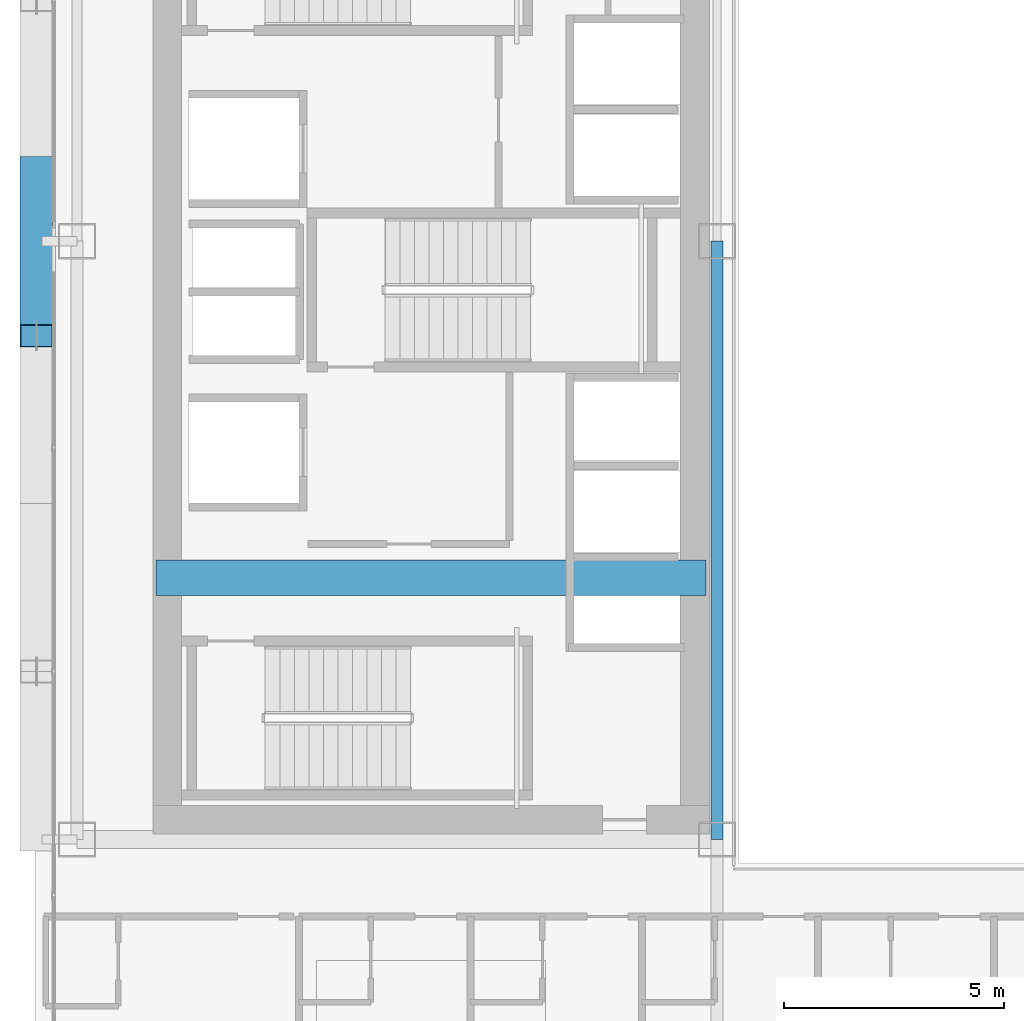
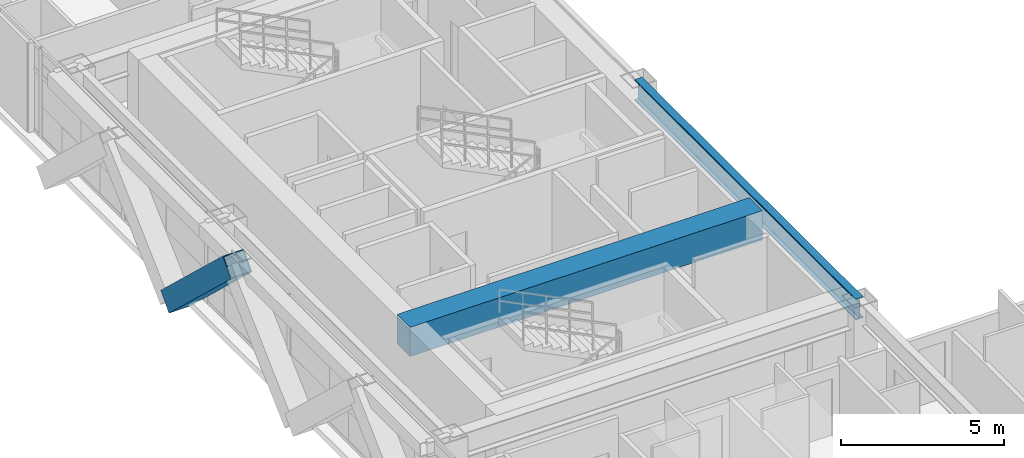
# One storey, part 7 of 36: 2 beams, 1 member.
"""IFC4 building model written with IfcOpenShell, lengths in metres."""

from ifc_helpers import new_model, si_unit, direction, frame, origin, origin_2d, place, context, subcontext, project, spatial, rectangle, hollow_rectangle, i_section, extrude, source, transform, mapped, material, material_profile, profile_set, type_object, element, save


model = new_model("IFC4")

# Units and contexts
model_context = context("Model", 3, precision=1e-05, world=origin(), true_north=direction((0.0, 1.0)))
body_context = subcontext(model_context, "Body", "Model", "MODEL_VIEW")
ifc_project = project(units=[si_unit("LENGTHUNIT", "METRE"), si_unit("AREAUNIT", "SQUARE_METRE"), si_unit("VOLUMEUNIT", "CUBIC_METRE"), si_unit("PLANEANGLEUNIT", "RADIAN"), si_unit("MASSUNIT", "GRAM", prefix="KILO")], contexts=[model_context])

# Site, building, storey
site_placement = place(None, origin())
site = spatial("IfcSite", under=ifc_project, at=site_placement, CompositionType="ELEMENT")
building_placement = place(site_placement, origin())
building = spatial("IfcBuilding", under=site, at=building_placement, Name="Ocotamira Hotel", CompositionType="ELEMENT")
storey_placement = place(building_placement, frame((0.0, 0.0, 133.199951171875)))
storey = spatial("IfcBuildingStorey", under=building, at=storey_placement, Name="L33", CompositionType="ELEMENT", Elevation=133.199951171875)

# Beams
ifc_material_1 = material(Name="Concrete C60/75", Category="concrete")
ifc_material_profile_1 = material_profile(ifc_material_1, rectangle(XDim=0.800048828125, YDim=1.10009765625, at=origin_2d()), Name="RC800X1100")
ifc_profile_set_1 = profile_set([ifc_material_profile_1], Name="Concrete C60/75")
beam_type_1 = type_object("IfcBeamType", Name="BM-LINK-RC800", PredefinedType="LINTEL", material=ifc_profile_set_1)
shared_shape_1 = source(origin(), body_context, "Body", "SweptSolid", [
    extrude(rectangle(XDim=0.800048828125, YDim=1.10009765625, at=origin_2d()), origin(), (0.0, 0.0, 1.0), 12.5),
])
beam_1_placement = place(storey_placement, frame((10.75, 20.5, 2.81005859375), z_axis=(1.0, 0.0, 0.0), x_axis=(0.0, 1.0, 0.0)))
element("IfcBeam", 1, at=beam_1_placement, inside=storey, type_object=beam_type_1, Name="L33 West Core Coupling Beam", PredefinedType="LINTEL", context=body_context, shape_type="MappedRepresentation", body=[
    mapped(shared_shape_1, transform((0.0, 0.0, 0.0), scale=1.0)),
])
ifc_material_2 = material(Name="Steel ASTM A992 Grade 50", Category="steel")
ifc_material_profile_2 = material_profile(ifc_material_2, i_section(OverallWidth=0.26611328125, OverallDepth=0.779052734375, WebThickness=0.0166015625, FlangeThickness=0.030029296875, FilletRadius=0.01806640625, at=origin_2d()), Name="W30X148")
ifc_profile_set_2 = profile_set([ifc_material_profile_2], Name="Steel ASTM A992 Grade 50")
beam_type_2 = type_object("IfcBeamType", Name="BM-GIRD-W30X148", PredefinedType="BEAM", material=ifc_profile_set_2)
shared_shape_2 = source(origin(), body_context, "Body", "SweptSolid", [
    extrude(i_section(OverallWidth=0.26611328125, OverallDepth=0.779052734375, WebThickness=0.0166015625, FlangeThickness=0.030029296875, FilletRadius=0.01806640625, at=origin_2d()), origin(), (0.0, 0.0, 1.0), 13.599853515625),
])
beam_2_placement = place(storey_placement, frame((23.5, 14.550048828125, 2.970458984375), z_axis=(0.0, 1.0, 0.0), x_axis=(-1.0, 0.0, 0.0)))
element("IfcBeam", 2, at=beam_2_placement, inside=storey, type_object=beam_type_2, Name="L33 Beam X23.5 Y14.55-28.15", PredefinedType="BEAM", context=body_context, shape_type="MappedRepresentation", body=[
    mapped(shared_shape_2, transform((0.0, 0.0, 0.0), scale=1.0)),
])

# Member
ifc_material_3 = material(Name="Pale-metal coated steel ASTM A913 Grade 65", Category="steel")
ifc_material_profile_3 = material_profile(ifc_material_3, hollow_rectangle(XDim=0.75, YDim=0.75, WallThickness=0.028076171875, at=origin_2d()), Name="BOX750X750X28")
ifc_profile_set_3 = profile_set([ifc_material_profile_3], Name="Pale-metal coated steel ASTM A913 Grade 65")
member_type = type_object("IfcMemberType", Name="MEM-EXO-BOX750", PredefinedType="BRACE", material=ifc_profile_set_3)
shared_shape_3 = source(origin(), body_context, "Body", "SweptSolid", [
    extrude(hollow_rectangle(XDim=0.75, YDim=0.75, WallThickness=0.028076171875, at=origin_2d()), origin(), (0.0, 0.0, 1.0), 5.24658203125),
])
member_placement = place(storey_placement, frame((8.030029296875, 29.816650390625, -0.489990234375), z_axis=(0.0, -0.727442733726, 0.686168397078), x_axis=(1.0, 0.0, 0.0)))
element("IfcMember", 3, at=member_placement, inside=storey, type_object=member_type, Name="L33 Exoskeleton Diagrid W1.2", PredefinedType="BRACE", context=body_context, shape_type="MappedRepresentation", body=[
    mapped(shared_shape_3, transform((0.0, 0.0, 0.0), scale=1.0)),
])

save(model, "model.ifc")
